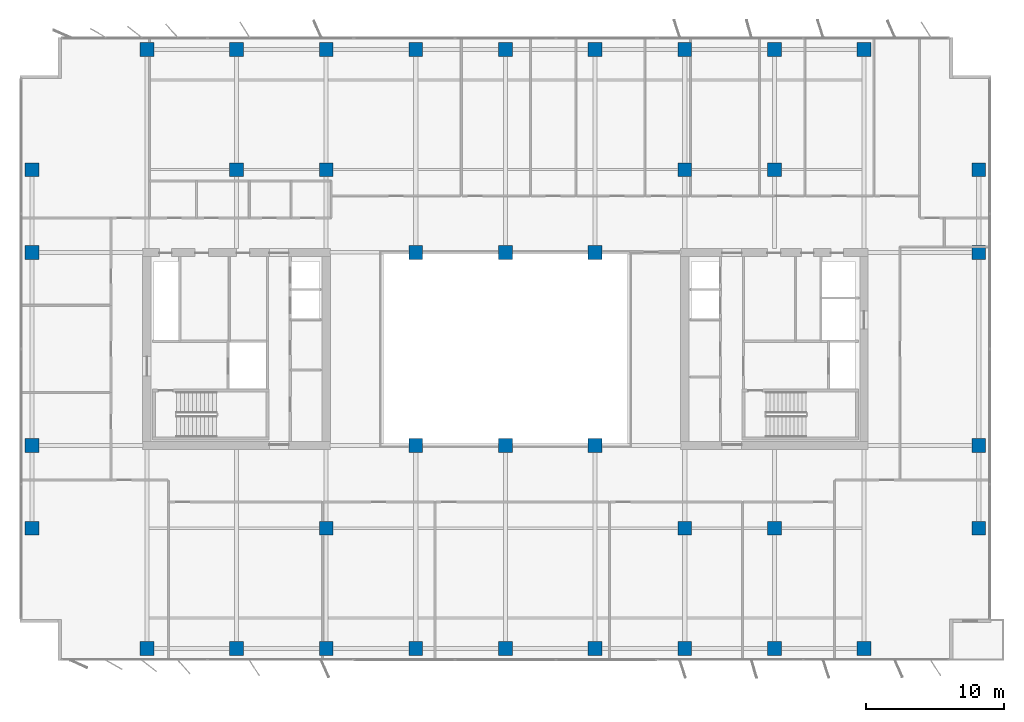
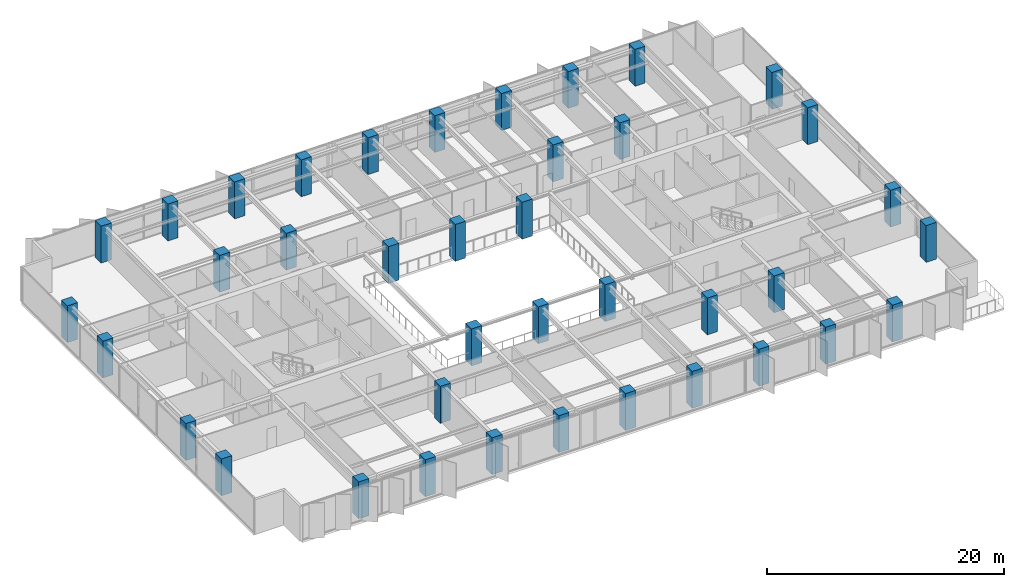
# One storey, part 1 of 22: 39 columns.
"""IFC4 building model written with IfcOpenShell, lengths in metres."""

from ifc_helpers import new_model, si_unit, direction, frame, origin, origin_2d, place, context, subcontext, project, spatial, rectangle, extrude, material, material_profile, profile_set, type_object, element, save


model = new_model("IFC4")

# Units and contexts
model_context = context("Model", 3, precision=1e-05, world=origin(), true_north=direction((0.0, 1.0)))
body_context = subcontext(model_context, "Body", "Model", "MODEL_VIEW")
ifc_project = project(units=[si_unit("LENGTHUNIT", "METRE"), si_unit("AREAUNIT", "SQUARE_METRE"), si_unit("VOLUMEUNIT", "CUBIC_METRE"), si_unit("PLANEANGLEUNIT", "RADIAN"), si_unit("MASSUNIT", "GRAM", prefix="KILO")], contexts=[model_context])

# Site, building, storey
site_placement = place(None, origin())
site = spatial("IfcSite", under=ifc_project, at=site_placement, CompositionType="ELEMENT")
building_placement = place(site_placement, origin())
building = spatial("IfcBuilding", under=site, at=building_placement, Name="Putna Gate Headquarters", CompositionType="ELEMENT")
storey_placement = place(building_placement, frame((0.0, 0.0, 186.0)))
storey = spatial("IfcBuildingStorey", under=building, at=storey_placement, Name="L46", CompositionType="ELEMENT", Elevation=186.0)

# Columns
ifc_material = material(Name="Concrete C50/60", Category="concrete")
ifc_material_profile_1 = material_profile(ifc_material, rectangle(XDim=1.0, YDim=1.0, at=origin_2d()), Name="Concrete C50/60")
ifc_profile_set_1 = profile_set([ifc_material_profile_1], Name="Concrete C50/60")
column_type_1 = type_object("IfcColumnType", Name="COL-RC1000-EXT", PredefinedType="COLUMN", material=ifc_profile_set_1)
for number, where, z_axis, x_axis, name in (
    (1, (13.0, 4.280029296875, 0.0), (0.0, 0.0, 1.0), (1.0, 0.0, 0.0), "L46 Column CP-S13"),
    (2, (13.0, 47.719970703125, 0.0), (0.0, 0.0, 1.0), (1.0, 0.0, 0.0), "L46 Column CP-N13"),
    (3, (19.5, 4.280029296875, 0.0), (0.0, 0.0, 1.0), (1.0, 0.0, 0.0), "L46 Column CP-S19"),
    (4, (19.5, 47.719970703125, 0.0), (0.0, 0.0, 1.0), (1.0, 0.0, 0.0), "L46 Column CP-N19"),
    (5, (26.0, 4.280029296875, 0.0), (0.0, 0.0, 1.0), (1.0, 0.0, 0.0), "L46 Column CP-S26"),
    (6, (26.0, 47.719970703125, 0.0), (0.0, 0.0, 1.0), (1.0, 0.0, 0.0), "L46 Column CP-N26"),
    (7, (32.5, 4.280029296875, 0.0), (0.0, 0.0, 1.0), (1.0, 0.0, 0.0), "L46 Column CP-S32"),
    (8, (32.5, 47.719970703125, 0.0), (0.0, 0.0, 1.0), (1.0, 0.0, 0.0), "L46 Column CP-N32"),
    (9, (39.0, 4.280029296875, 0.0), (0.0, 0.0, 1.0), (1.0, 0.0, 0.0), "L46 Column CP-S39"),
    (10, (39.0, 47.719970703125, 0.0), (0.0, 0.0, 1.0), (1.0, 0.0, 0.0), "L46 Column CP-N39"),
    (11, (45.5, 4.280029296875, 0.0), (0.0, 0.0, 1.0), (1.0, 0.0, 0.0), "L46 Column CP-S45"),
    (12, (45.5, 47.719970703125, 0.0), (0.0, 0.0, 1.0), (1.0, 0.0, 0.0), "L46 Column CP-N45"),
    (13, (52.0, 4.280029296875, 0.0), (0.0, 0.0, 1.0), (1.0, 0.0, 0.0), "L46 Column CP-S52"),
    (14, (52.0, 47.719970703125, 0.0), (0.0, 0.0, 1.0), (1.0, 0.0, 0.0), "L46 Column CP-N52"),
    (15, (58.5, 4.280029296875, 0.0), (0.0, 0.0, 1.0), (1.0, 0.0, 0.0), "L46 Column CP-S58"),
    (16, (58.5, 47.719970703125, 0.0), (0.0, 0.0, 1.0), (1.0, 0.0, 0.0), "L46 Column CP-N58"),
    (17, (65.0, 4.280029296875, 0.0), (0.0, 0.0, 1.0), (1.0, 0.0, 0.0), "L46 Column CP-S65"),
    (18, (65.0, 47.719970703125, 0.0), (0.0, 0.0, 1.0), (1.0, 0.0, 0.0), "L46 Column CP-N65"),
    (19, (4.679931640625, 13.0, 0.0), (0.0, 0.0, 1.0), (1.0, 0.0, 0.0), "L46 Column CP-W13"),
    (20, (73.320068359375, 13.0, 0.0), (0.0, 0.0, 1.0), (1.0, 0.0, 0.0), "L46 Column CP-E13"),
    (21, (4.679931640625, 19.0, 0.0), (0.0, 0.0, 1.0), (1.0, 0.0, 0.0), "L46 Column CP-W19"),
    (22, (73.320068359375, 19.0, 0.0), (0.0, 0.0, 1.0), (1.0, 0.0, 0.0), "L46 Column CP-E19"),
    (23, (4.679931640625, 33.0, 0.0), (0.0, 0.0, 1.0), (1.0, 0.0, 0.0), "L46 Column CP-W33"),
    (24, (73.320068359375, 33.0, 0.0), (0.0, 0.0, 1.0), (1.0, 0.0, 0.0), "L46 Column CP-E33"),
    (25, (4.679931640625, 39.0, 0.0), (0.0, 0.0, 1.0), (1.0, 0.0, 0.0), "L46 Column CP-W39"),
    (26, (73.320068359375, 39.0, 0.0), (0.0, 0.0, 1.0), (1.0, 0.0, 0.0), "L46 Column CP-E39"),
):
    element("IfcColumn", number, at=place(storey_placement, frame(where, z_axis=z_axis, x_axis=x_axis)), inside=storey, type_object=column_type_1, Name=name, PredefinedType="COLUMN", context=body_context, shape_type="SweptSolid", body=[
        extrude(rectangle(XDim=1.0, YDim=1.0, at=origin_2d()), origin(), (0.0, 0.0, 1.0), 3.800048828125),
    ])
ifc_material_profile_2 = material_profile(ifc_material, rectangle(XDim=1.0, YDim=1.0, at=origin_2d()), Name="Concrete C50/60")
ifc_profile_set_2 = profile_set([ifc_material_profile_2], Name="Concrete C50/60")
column_type_2 = type_object("IfcColumnType", Name="COL-RC1000-INT", PredefinedType="COLUMN", material=ifc_profile_set_2)
for number, where, z_axis, x_axis, name in (
    (27, (19.5, 39.0, 0.0), (0.0, 0.0, 1.0), (1.0, 0.0, 0.0), "L46 Column CSI-WN"),
    (28, (58.5, 13.0, 0.0), (0.0, 0.0, 1.0), (1.0, 0.0, 0.0), "L46 Column CSI-ES"),
    (29, (58.5, 39.0, 0.0), (0.0, 0.0, 1.0), (1.0, 0.0, 0.0), "L46 Column CSI-EN"),
    (30, (32.5, 19.0, 0.0), (0.0, 0.0, 1.0), (1.0, 0.0, 0.0), "L46 Column CAI-S32"),
    (31, (32.5, 33.0, 0.0), (0.0, 0.0, 1.0), (1.0, 0.0, 0.0), "L46 Column CAI-N32"),
    (32, (39.0, 19.0, 0.0), (0.0, 0.0, 1.0), (1.0, 0.0, 0.0), "L46 Column CAI-S39"),
    (33, (39.0, 33.0, 0.0), (0.0, 0.0, 1.0), (1.0, 0.0, 0.0), "L46 Column CAI-N39"),
    (34, (45.5, 19.0, 0.0), (0.0, 0.0, 1.0), (1.0, 0.0, 0.0), "L46 Column CAI-S45"),
    (35, (45.5, 33.0, 0.0), (0.0, 0.0, 1.0), (1.0, 0.0, 0.0), "L46 Column CAI-N45"),
    (36, (26.0, 13.0, 0.0), (0.0, 0.0, 1.0), (1.0, 0.0, 0.0), "L46 Column CAP-WS"),
    (37, (26.0, 39.0, 0.0), (0.0, 0.0, 1.0), (1.0, 0.0, 0.0), "L46 Column CAP-WN"),
    (38, (52.0, 13.0, 0.0), (0.0, 0.0, 1.0), (1.0, 0.0, 0.0), "L46 Column CAP-ES"),
    (39, (52.0, 39.0, 0.0), (0.0, 0.0, 1.0), (1.0, 0.0, 0.0), "L46 Column CAP-EN"),
):
    element("IfcColumn", number, at=place(storey_placement, frame(where, z_axis=z_axis, x_axis=x_axis)), inside=storey, type_object=column_type_2, Name=name, PredefinedType="COLUMN", context=body_context, shape_type="SweptSolid", body=[
        extrude(rectangle(XDim=1.0, YDim=1.0, at=origin_2d()), origin(), (0.0, 0.0, 1.0), 3.800048828125),
    ])

save(model, "model.ifc")
